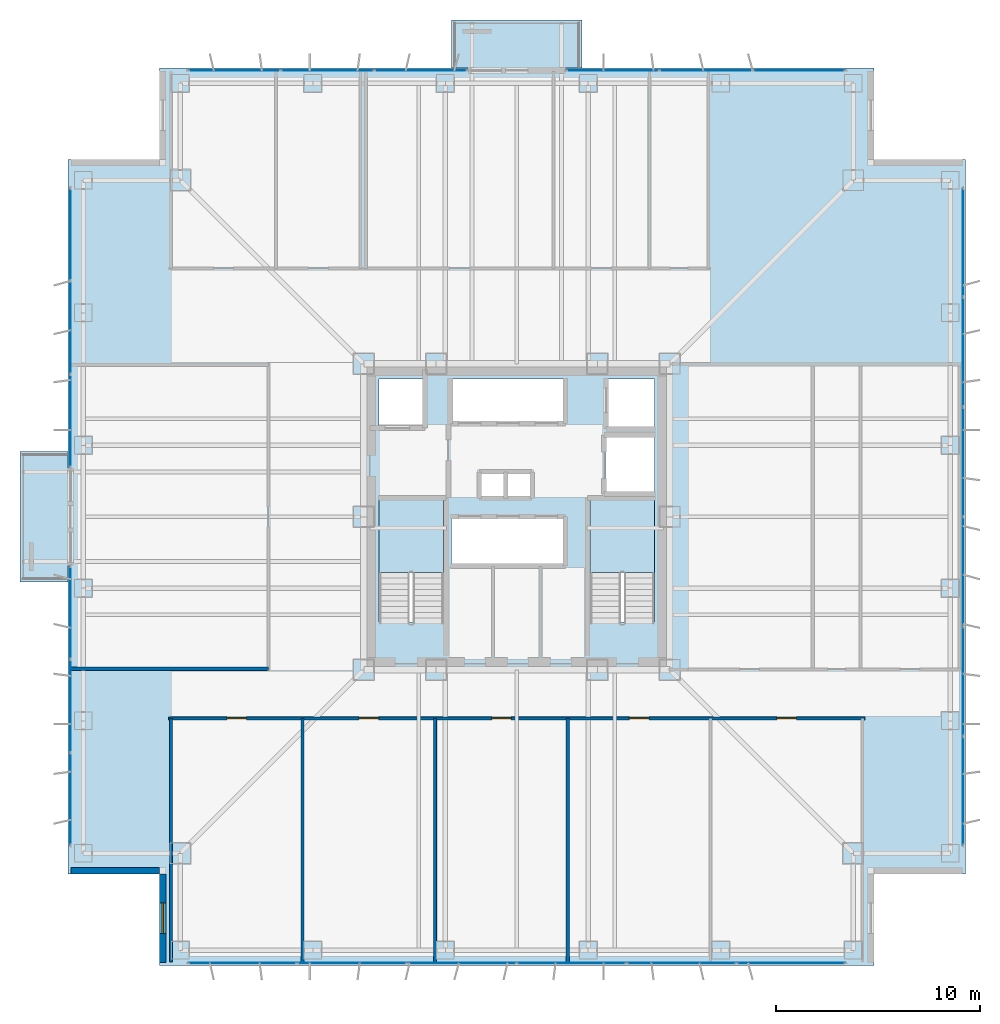
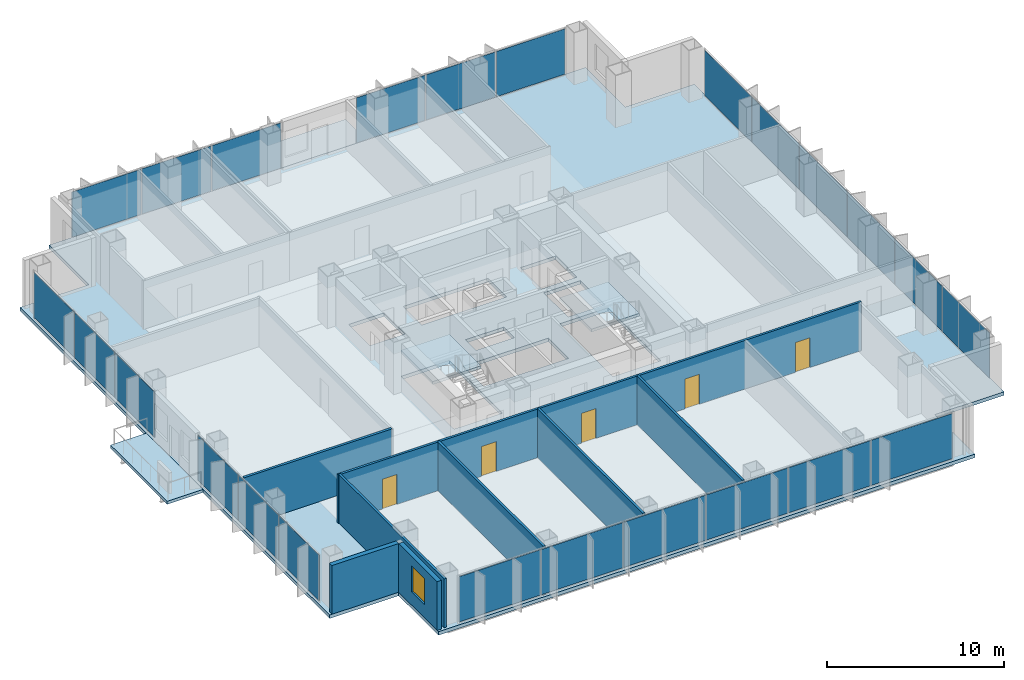
# One storey, part 9 of 15: 24 plates, 8 walls, 5 doors, 5 slabs, 1 window, 6 openings, 8 elements without a shape of their own.
"""IFC4 building model written with IfcOpenShell, lengths in metres."""

from ifc_helpers import new_model, si_unit, direction, frame, frame_2d, origin, origin_2d, place, context, subcontext, project, spatial, polyline, rectangle, outline, extrude, material, layer, layer_set, type_object, element, fill, aggregate, save


model = new_model("IFC4")

# Units and contexts
model_context = context("Model", 3, precision=1e-05, world=origin(), true_north=direction((0.0, 1.0)))
body_context = subcontext(model_context, "Body", "Model", "MODEL_VIEW")
ifc_project = project(units=[si_unit("LENGTHUNIT", "METRE"), si_unit("AREAUNIT", "SQUARE_METRE"), si_unit("VOLUMEUNIT", "CUBIC_METRE"), si_unit("PLANEANGLEUNIT", "RADIAN"), si_unit("MASSUNIT", "GRAM", prefix="KILO")], contexts=[model_context])

# Site, building, storey
site_placement = place(None, origin())
site = spatial("IfcSite", under=ifc_project, at=site_placement, CompositionType="ELEMENT")
building_placement = place(site_placement, origin())
building = spatial("IfcBuilding", under=site, at=building_placement, Name="Trevonay Congress Spire", CompositionType="ELEMENT")
storey_placement = place(building_placement, frame((0.0, 0.0, 115.60009765625)))
storey = spatial("IfcBuildingStorey", under=building, at=storey_placement, Name="L29", CompositionType="ELEMENT", Elevation=115.60009765625)

# Curtain wall, plates
ifc_material_1 = material(Name="Pale Anodised Aluminium EN AW-6063-T6", Category="aluminium")
ifc_layer_1 = layer(ifc_material_1, 0.175048828125, Name="Pale Anodised Aluminium EN AW-6063-T6")
ifc_layer_set_1 = layer_set([ifc_layer_1], Name="Pale Anodised Aluminium EN AW-6063-T6")
curtain_wall_type = type_object("IfcCurtainWallType", Name="CW-SYS03-CONGRESS-PALE-METAL", PredefinedType="NOTDEFINED", material=ifc_layer_set_1)
curtain_wall_1_placement = place(storey_placement, origin())
curtain_wall_1 = element("IfcCurtainWall", 1, at=curtain_wall_1_placement, inside=storey, type_object=curtain_wall_type, Name="L29 S unitised curtain wall", PredefinedType="NOTDEFINED")
ifc_material_2 = material(Name="Insulated Low-E Vision Glass IGU", Category="glass")
ifc_layer_2 = layer(ifc_material_2, 0.035888671875, Name="Insulated Low-E Vision Glass IGU")
ifc_layer_set_2 = layer_set([ifc_layer_2], Name="Insulated Low-E Vision Glass IGU")
plate_type = type_object("IfcPlateType", Name="CW-PANEL-IGU36-SILVER", PredefinedType="CURTAIN_PANEL", material=ifc_layer_set_2)
plate_1_placement = place(storey_placement, frame((-13.443359375, -21.8798828125, 0.119873046875), z_axis=(0.0, 0.0, 1.0), x_axis=(1.0, 0.0, 0.0)))
plate_1 = element("IfcPlate", 2, at=plate_1_placement, type_object=plate_type, Name="CW03 panel 1.1", PredefinedType="CURTAIN_PANEL", context=body_context, shape_type="SweptSolid", body=[
    extrude(rectangle(XDim=5.293212890625, YDim=0.035888671875, at=origin_2d()), origin(), (0.0, 0.0, 1.0), 3.1201171875),
])
plate_2_placement = place(storey_placement, frame((-8.074951171875, -21.8798828125, 0.119873046875), z_axis=(0.0, 0.0, 1.0), x_axis=(1.0, 0.0, 0.0)))
plate_2 = element("IfcPlate", 3, at=plate_2_placement, type_object=plate_type, Name="CW03 panel 2.1", PredefinedType="CURTAIN_PANEL", context=body_context, shape_type="SweptSolid", body=[
    extrude(rectangle(XDim=5.3232421875, YDim=0.035888671875, at=origin_2d()), origin(), (0.0, 0.0, 1.0), 3.1201171875),
])
plate_3_placement = place(storey_placement, frame((-2.691650390625, -21.8798828125, 0.119873046875), z_axis=(0.0, 0.0, 1.0), x_axis=(1.0, 0.0, 0.0)))
plate_3 = element("IfcPlate", 4, at=plate_3_placement, type_object=plate_type, Name="CW03 panel 3.1", PredefinedType="CURTAIN_PANEL", context=body_context, shape_type="SweptSolid", body=[
    extrude(rectangle(XDim=5.3232421875, YDim=0.035888671875, at=origin_2d()), origin(), (0.0, 0.0, 1.0), 3.1201171875),
])
plate_4_placement = place(storey_placement, frame((2.691650390625, -21.8798828125, 0.119873046875), z_axis=(0.0, 0.0, 1.0), x_axis=(1.0, 0.0, 0.0)))
plate_4 = element("IfcPlate", 5, at=plate_4_placement, type_object=plate_type, Name="CW03 panel 4.1", PredefinedType="CURTAIN_PANEL", context=body_context, shape_type="SweptSolid", body=[
    extrude(rectangle(XDim=5.3232421875, YDim=0.035888671875, at=origin_2d()), origin(), (0.0, 0.0, 1.0), 3.1201171875),
])
plate_5_placement = place(storey_placement, frame((8.074951171875, -21.8798828125, 0.119873046875), z_axis=(0.0, 0.0, 1.0), x_axis=(1.0, 0.0, 0.0)))
plate_5 = element("IfcPlate", 6, at=plate_5_placement, type_object=plate_type, Name="CW03 panel 5.1", PredefinedType="CURTAIN_PANEL", context=body_context, shape_type="SweptSolid", body=[
    extrude(rectangle(XDim=5.3232421875, YDim=0.035888671875, at=origin_2d()), origin(), (0.0, 0.0, 1.0), 3.1201171875),
])
plate_6_placement = place(storey_placement, frame((13.443359375, -21.8798828125, 0.119873046875), z_axis=(0.0, 0.0, 1.0), x_axis=(1.0, 0.0, 0.0)))
plate_6 = element("IfcPlate", 7, at=plate_6_placement, type_object=plate_type, Name="CW03 panel 6.1", PredefinedType="CURTAIN_PANEL", context=body_context, shape_type="SweptSolid", body=[
    extrude(rectangle(XDim=5.293212890625, YDim=0.035888671875, at=origin_2d()), origin(), (0.0, 0.0, 1.0), 3.1201171875),
])
aggregate(curtain_wall_1, [plate_1, plate_2, plate_3, plate_4, plate_5, plate_6])

curtain_wall_2_placement = place(storey_placement, origin())
curtain_wall_2 = element("IfcCurtainWall", 8, at=curtain_wall_2_placement, inside=storey, type_object=curtain_wall_type, Name="L29 NA unitised curtain wall", PredefinedType="NOTDEFINED")
plate_7_placement = place(storey_placement, frame((-13.84326171875, 21.8798828125, 0.119873046875), z_axis=(0.0, 0.0, 1.0), x_axis=(1.0, 0.0, 0.0)))
plate_7 = element("IfcPlate", 9, at=plate_7_placement, type_object=plate_type, Name="CW03 panel 1.1", PredefinedType="CURTAIN_PANEL", context=body_context, shape_type="SweptSolid", body=[
    extrude(rectangle(XDim=4.493408203125, YDim=0.035888671875, at=origin_2d()), origin(), (0.0, 0.0, 1.0), 3.1201171875),
])
plate_8_placement = place(storey_placement, frame((-9.27490234375, 21.8798828125, 0.119873046875), z_axis=(0.0, 0.0, 1.0), x_axis=(1.0, 0.0, 0.0)))
plate_8 = element("IfcPlate", 10, at=plate_8_placement, type_object=plate_type, Name="CW03 panel 2.1", PredefinedType="CURTAIN_PANEL", context=body_context, shape_type="SweptSolid", body=[
    extrude(rectangle(XDim=4.5234375, YDim=0.035888671875, at=origin_2d()), origin(), (0.0, 0.0, 1.0), 3.1201171875),
])
plate_9_placement = place(storey_placement, frame((-4.706787109375, 21.8798828125, 0.119873046875), z_axis=(0.0, 0.0, 1.0), x_axis=(1.0, 0.0, 0.0)))
plate_9 = element("IfcPlate", 11, at=plate_9_placement, type_object=plate_type, Name="CW03 panel 3.1", PredefinedType="CURTAIN_PANEL", context=body_context, shape_type="SweptSolid", body=[
    extrude(rectangle(XDim=4.493408203125, YDim=0.035888671875, at=origin_2d()), origin(), (0.0, 0.0, 1.0), 3.1201171875),
])
aggregate(curtain_wall_2, [plate_7, plate_8, plate_9])

curtain_wall_3_placement = place(storey_placement, origin())
curtain_wall_3 = element("IfcCurtainWall", 12, at=curtain_wall_3_placement, inside=storey, type_object=curtain_wall_type, Name="L29 NB unitised curtain wall", PredefinedType="NOTDEFINED")
plate_10_placement = place(storey_placement, frame((4.706787109375, 21.8798828125, 0.119873046875), z_axis=(0.0, 0.0, 1.0), x_axis=(1.0, 0.0, 0.0)))
plate_10 = element("IfcPlate", 13, at=plate_10_placement, type_object=plate_type, Name="CW03 panel 1.1", PredefinedType="CURTAIN_PANEL", context=body_context, shape_type="SweptSolid", body=[
    extrude(rectangle(XDim=4.493408203125, YDim=0.035888671875, at=origin_2d()), origin(), (0.0, 0.0, 1.0), 3.1201171875),
])
plate_11_placement = place(storey_placement, frame((9.27490234375, 21.8798828125, 0.119873046875), z_axis=(0.0, 0.0, 1.0), x_axis=(1.0, 0.0, 0.0)))
plate_11 = element("IfcPlate", 14, at=plate_11_placement, type_object=plate_type, Name="CW03 panel 2.1", PredefinedType="CURTAIN_PANEL", context=body_context, shape_type="SweptSolid", body=[
    extrude(rectangle(XDim=4.5234375, YDim=0.035888671875, at=origin_2d()), origin(), (0.0, 0.0, 1.0), 3.1201171875),
])
plate_12_placement = place(storey_placement, frame((13.84326171875, 21.8798828125, 0.119873046875), z_axis=(0.0, 0.0, 1.0), x_axis=(1.0, 0.0, 0.0)))
plate_12 = element("IfcPlate", 15, at=plate_12_placement, type_object=plate_type, Name="CW03 panel 3.1", PredefinedType="CURTAIN_PANEL", context=body_context, shape_type="SweptSolid", body=[
    extrude(rectangle(XDim=4.493408203125, YDim=0.035888671875, at=origin_2d()), origin(), (0.0, 0.0, 1.0), 3.1201171875),
])
aggregate(curtain_wall_3, [plate_10, plate_11, plate_12])

curtain_wall_4_placement = place(storey_placement, origin())
curtain_wall_4 = element("IfcCurtainWall", 16, at=curtain_wall_4_placement, inside=storey, type_object=curtain_wall_type, Name="L29 WA unitised curtain wall", PredefinedType="NOTDEFINED")
plate_13_placement = place(storey_placement, frame((-21.8798828125, -13.84326171875, 0.119873046875), z_axis=(0.0, 0.0, 1.0), x_axis=(0.0, 1.0, 0.0)))
plate_13 = element("IfcPlate", 17, at=plate_13_placement, type_object=plate_type, Name="CW03 panel 1.1", PredefinedType="CURTAIN_PANEL", context=body_context, shape_type="SweptSolid", body=[
    extrude(rectangle(XDim=4.493408203125, YDim=0.035888671875, at=origin_2d()), origin(), (0.0, 0.0, 1.0), 3.1201171875),
])
plate_14_placement = place(storey_placement, frame((-21.8798828125, -9.27490234375, 0.119873046875), z_axis=(0.0, 0.0, 1.0), x_axis=(0.0, 1.0, 0.0)))
plate_14 = element("IfcPlate", 18, at=plate_14_placement, type_object=plate_type, Name="CW03 panel 2.1", PredefinedType="CURTAIN_PANEL", context=body_context, shape_type="SweptSolid", body=[
    extrude(rectangle(XDim=4.5234375, YDim=0.035888671875, at=origin_2d()), origin(), (0.0, 0.0, 1.0), 3.1201171875),
])
plate_15_placement = place(storey_placement, frame((-21.8798828125, -4.706787109375, 0.119873046875), z_axis=(0.0, 0.0, 1.0), x_axis=(0.0, 1.0, 0.0)))
plate_15 = element("IfcPlate", 19, at=plate_15_placement, type_object=plate_type, Name="CW03 panel 3.1", PredefinedType="CURTAIN_PANEL", context=body_context, shape_type="SweptSolid", body=[
    extrude(rectangle(XDim=4.493408203125, YDim=0.035888671875, at=origin_2d()), origin(), (0.0, 0.0, 1.0), 3.1201171875),
])
aggregate(curtain_wall_4, [plate_13, plate_14, plate_15])

curtain_wall_5_placement = place(storey_placement, origin())
curtain_wall_5 = element("IfcCurtainWall", 20, at=curtain_wall_5_placement, inside=storey, type_object=curtain_wall_type, Name="L29 WB unitised curtain wall", PredefinedType="NOTDEFINED")
plate_16_placement = place(storey_placement, frame((-21.8798828125, 4.706787109375, 0.119873046875), z_axis=(0.0, 0.0, 1.0), x_axis=(0.0, 1.0, 0.0)))
plate_16 = element("IfcPlate", 21, at=plate_16_placement, type_object=plate_type, Name="CW03 panel 1.1", PredefinedType="CURTAIN_PANEL", context=body_context, shape_type="SweptSolid", body=[
    extrude(rectangle(XDim=4.493408203125, YDim=0.035888671875, at=origin_2d()), origin(), (0.0, 0.0, 1.0), 3.1201171875),
])
plate_17_placement = place(storey_placement, frame((-21.8798828125, 9.27490234375, 0.119873046875), z_axis=(0.0, 0.0, 1.0), x_axis=(0.0, 1.0, 0.0)))
plate_17 = element("IfcPlate", 22, at=plate_17_placement, type_object=plate_type, Name="CW03 panel 2.1", PredefinedType="CURTAIN_PANEL", context=body_context, shape_type="SweptSolid", body=[
    extrude(rectangle(XDim=4.5234375, YDim=0.035888671875, at=origin_2d()), origin(), (0.0, 0.0, 1.0), 3.1201171875),
])
plate_18_placement = place(storey_placement, frame((-21.8798828125, 13.84326171875, 0.119873046875), z_axis=(0.0, 0.0, 1.0), x_axis=(0.0, 1.0, 0.0)))
plate_18 = element("IfcPlate", 23, at=plate_18_placement, type_object=plate_type, Name="CW03 panel 3.1", PredefinedType="CURTAIN_PANEL", context=body_context, shape_type="SweptSolid", body=[
    extrude(rectangle(XDim=4.493408203125, YDim=0.035888671875, at=origin_2d()), origin(), (0.0, 0.0, 1.0), 3.1201171875),
])
aggregate(curtain_wall_5, [plate_16, plate_17, plate_18])

curtain_wall_6_placement = place(storey_placement, origin())
curtain_wall_6 = element("IfcCurtainWall", 24, at=curtain_wall_6_placement, inside=storey, type_object=curtain_wall_type, Name="L29 E unitised curtain wall", PredefinedType="NOTDEFINED")
plate_19_placement = place(storey_placement, frame((21.8798828125, -13.443359375, 0.119873046875), z_axis=(0.0, 0.0, 1.0), x_axis=(0.0, 1.0, 0.0)))
plate_19 = element("IfcPlate", 25, at=plate_19_placement, type_object=plate_type, Name="CW03 panel 1.1", PredefinedType="CURTAIN_PANEL", context=body_context, shape_type="SweptSolid", body=[
    extrude(rectangle(XDim=5.293212890625, YDim=0.035888671875, at=origin_2d()), origin(), (0.0, 0.0, 1.0), 3.1201171875),
])
plate_20_placement = place(storey_placement, frame((21.8798828125, -8.074951171875, 0.119873046875), z_axis=(0.0, 0.0, 1.0), x_axis=(0.0, 1.0, 0.0)))
plate_20 = element("IfcPlate", 26, at=plate_20_placement, type_object=plate_type, Name="CW03 panel 2.1", PredefinedType="CURTAIN_PANEL", context=body_context, shape_type="SweptSolid", body=[
    extrude(rectangle(XDim=5.3232421875, YDim=0.035888671875, at=origin_2d()), origin(), (0.0, 0.0, 1.0), 3.1201171875),
])
plate_21_placement = place(storey_placement, frame((21.8798828125, -2.691650390625, 0.119873046875), z_axis=(0.0, 0.0, 1.0), x_axis=(0.0, 1.0, 0.0)))
plate_21 = element("IfcPlate", 27, at=plate_21_placement, type_object=plate_type, Name="CW03 panel 3.1", PredefinedType="CURTAIN_PANEL", context=body_context, shape_type="SweptSolid", body=[
    extrude(rectangle(XDim=5.3232421875, YDim=0.035888671875, at=origin_2d()), origin(), (0.0, 0.0, 1.0), 3.1201171875),
])
plate_22_placement = place(storey_placement, frame((21.8798828125, 2.691650390625, 0.119873046875), z_axis=(0.0, 0.0, 1.0), x_axis=(0.0, 1.0, 0.0)))
plate_22 = element("IfcPlate", 28, at=plate_22_placement, type_object=plate_type, Name="CW03 panel 4.1", PredefinedType="CURTAIN_PANEL", context=body_context, shape_type="SweptSolid", body=[
    extrude(rectangle(XDim=5.3232421875, YDim=0.035888671875, at=origin_2d()), origin(), (0.0, 0.0, 1.0), 3.1201171875),
])
plate_23_placement = place(storey_placement, frame((21.8798828125, 8.074951171875, 0.119873046875), z_axis=(0.0, 0.0, 1.0), x_axis=(0.0, 1.0, 0.0)))
plate_23 = element("IfcPlate", 29, at=plate_23_placement, type_object=plate_type, Name="CW03 panel 5.1", PredefinedType="CURTAIN_PANEL", context=body_context, shape_type="SweptSolid", body=[
    extrude(rectangle(XDim=5.3232421875, YDim=0.035888671875, at=origin_2d()), origin(), (0.0, 0.0, 1.0), 3.1201171875),
])
plate_24_placement = place(storey_placement, frame((21.8798828125, 13.443359375, 0.119873046875), z_axis=(0.0, 0.0, 1.0), x_axis=(0.0, 1.0, 0.0)))
plate_24 = element("IfcPlate", 30, at=plate_24_placement, type_object=plate_type, Name="CW03 panel 6.1", PredefinedType="CURTAIN_PANEL", context=body_context, shape_type="SweptSolid", body=[
    extrude(rectangle(XDim=5.293212890625, YDim=0.035888671875, at=origin_2d()), origin(), (0.0, 0.0, 1.0), 3.1201171875),
])
aggregate(curtain_wall_6, [plate_19, plate_20, plate_21, plate_22, plate_23, plate_24])

# Stair, slab
ifc_material_3 = material(Name="Concrete C40/50", Category="concrete")
stair_type_1 = type_object("IfcStairType", Name="STR-ST-1", PredefinedType="HALF_TURN_STAIR", material=ifc_material_3)
stair_1_placement = place(storey_placement, origin())
stair_1 = element("IfcStair", 31, at=stair_1_placement, inside=storey, type_object=stair_type_1, Name="L29 Protected Exit Stair ST-1", PredefinedType="HALF_TURN_STAIR")
ifc_layer_3 = layer(ifc_material_3, 0.199951171875, Name="Concrete C40/50")
ifc_layer_set_3 = layer_set([ifc_layer_3], Name="Concrete C40/50")
slab_type_1 = type_object("IfcSlabType", Name="SLB-STAIR-LAND-200", PredefinedType="LANDING", material=ifc_layer_set_3)
slab_1_placement = place(storey_placement, frame((0.0, 0.0, 1.599853515625)))
slab_1 = element("IfcSlab", 32, at=slab_1_placement, type_object=slab_type_1, Name="ST-1 landing 1", PredefinedType="LANDING", context=body_context, shape_type="SweptSolid", body=[
    extrude(outline(polyline([(-3.60009765625, -2.72998046875), (-3.60009765625, 0.85009765625), (-6.75, 0.85009765625), (-6.75, -2.72998046875), (-3.60009765625, -2.72998046875)])), origin(), (0.0, 0.0, 1.0), 0.199951171875),
])
aggregate(stair_1, [slab_1])

stair_type_2 = type_object("IfcStairType", Name="STR-ST-2", PredefinedType="HALF_TURN_STAIR", material=ifc_material_3)
stair_2_placement = place(storey_placement, origin())
stair_2 = element("IfcStair", 33, at=stair_2_placement, inside=storey, type_object=stair_type_2, Name="L29 Protected Exit Stair ST-2", PredefinedType="HALF_TURN_STAIR")
slab_2_placement = place(storey_placement, frame((0.0, 0.0, 1.599853515625)))
slab_2 = element("IfcSlab", 34, at=slab_2_placement, type_object=slab_type_1, Name="ST-2 landing 1", PredefinedType="LANDING", context=body_context, shape_type="SweptSolid", body=[
    extrude(outline(polyline([(6.75, -2.72998046875), (6.75, 0.85009765625), (3.60009765625, 0.85009765625), (3.60009765625, -2.72998046875), (6.75, -2.72998046875)])), origin(), (0.0, 0.0, 1.0), 0.199951171875),
])
aggregate(stair_2, [slab_2])

# Slabs
ifc_layer_4 = layer(ifc_material_3, 0.239990234375, Name="Concrete C40/50")
ifc_layer_set_4 = layer_set([ifc_layer_4], Name="Concrete C40/50")
slab_type_2 = type_object("IfcSlabType", Name="SLB-TOW2-240", PredefinedType="FLOOR", material=ifc_layer_set_4)
slab_3_placement = place(storey_placement, frame((0.0, 0.0, -0.239990234375)))
element("IfcSlab", 35, at=slab_3_placement, inside=storey, type_object=slab_type_2, Name="L29 structural floor slab", PredefinedType="FLOOR", context=body_context, shape_type="SweptSolid", body=[
    extrude(outline(polyline([(-17.5, -22.0), (17.5, -22.0), (17.5, -17.5), (22.0, -17.5), (22.0, 17.5), (17.5, 17.5), (17.5, 22.0), (-17.5, 22.0), (-17.5, 17.5), (-22.0, 17.5), (-22.0, -17.5), (-17.5, -17.5), (-17.5, -22.0)]), holes=[polyline([(-3.60009765625, -5.14990234375), (-3.60009765625, 0.85009765625), (-6.75, 0.85009765625), (-6.75, -5.14990234375), (-3.60009765625, -5.14990234375)]), polyline([(6.75, -5.14990234375), (6.75, 0.85009765625), (3.60009765625, 0.85009765625), (3.60009765625, -5.14990234375), (6.75, -5.14990234375)]), polyline([(-3.199951171875, -2.35009765625), (2.340087890625, -2.35009765625), (2.340087890625, -0.050048828125), (-3.199951171875, -0.050048828125), (-3.199951171875, -2.35009765625)]), polyline([(-3.199951171875, 4.64990234375), (2.340087890625, 4.64990234375), (2.340087890625, 6.75), (-3.199951171875, 6.75), (-3.199951171875, 4.64990234375)]), polyline([(-6.75, 4.35009765625), (-4.449951171875, 4.35009765625), (-4.449951171875, 6.75), (-6.75, 6.75), (-6.75, 4.35009765625)]), polyline([(4.449951171875, 4.35009765625), (6.75, 4.35009765625), (6.75, 6.75), (4.449951171875, 6.75), (4.449951171875, 4.35009765625)]), polyline([(4.35009765625, 1.199951171875), (6.75, 1.199951171875), (6.75, 3.949951171875), (4.35009765625, 3.949951171875), (4.35009765625, 1.199951171875)]), polyline([(-1.800048828125, 0.949951171875), (0.699951171875, 0.949951171875), (0.699951171875, 2.14990234375), (-1.800048828125, 2.14990234375), (-1.800048828125, 0.949951171875)])]), origin(), (0.0, 0.0, 1.0), 0.239990234375),
])
ifc_layer_5 = layer(ifc_material_3, 0.2099609375, Name="Concrete C40/50")
ifc_layer_set_5 = layer_set([ifc_layer_5], Name="Concrete C40/50")
slab_type_3 = type_object("IfcSlabType", Name="SLB-TREEBAL-210", PredefinedType="FLOOR", material=ifc_layer_set_5)
slab_4_placement = place(storey_placement, frame((0.0, 0.0, -0.210205078125)))
element("IfcSlab", 36, at=slab_4_placement, inside=storey, type_object=slab_type_3, Name="L29 cantilevered tree-planter balcony pod N", PredefinedType="FLOOR", context=body_context, shape_type="SweptSolid", body=[
    extrude(outline(polyline([(-3.199951171875, 22.0), (3.199951171875, 22.0), (3.199951171875, 24.35009765625), (-3.199951171875, 24.35009765625), (-3.199951171875, 22.0)])), origin(), (0.0, 0.0, 1.0), 0.210205078125),
])
slab_5_placement = place(storey_placement, frame((0.0, 0.0, -0.210205078125)))
element("IfcSlab", 37, at=slab_5_placement, inside=storey, type_object=slab_type_3, Name="L29 cantilevered tree-planter balcony pod W", PredefinedType="FLOOR", context=body_context, shape_type="SweptSolid", body=[
    extrude(outline(polyline([(-24.35009765625, -3.199951171875), (-22.0, -3.199951171875), (-22.0, 3.199951171875), (-24.35009765625, 3.199951171875), (-24.35009765625, -3.199951171875)])), origin(), (0.0, 0.0, 1.0), 0.210205078125),
])

# Wall, openings, doors
ifc_layer_6 = layer(ifc_material_3, 0.14990234375, Name="Concrete C40/50")
ifc_layer_set_6 = layer_set([ifc_layer_6], Name="Concrete C40/50")
wall_type_1 = type_object("IfcWallType", Name="WAL-CORR-150", PredefinedType="PARTITIONING", material=ifc_layer_set_6)
wall_1_placement = place(storey_placement, frame((-17.070068359375, -9.8798828125, 0.0), z_axis=(0.0, 0.0, 1.0), x_axis=(1.0, 0.0, 0.0)))
wall_1 = element("IfcWall", 38, at=wall_1_placement, inside=storey, type_object=wall_type_1, Name="L29 interior wall WP-L29S-COR", PredefinedType="PARTITIONING", context=body_context, shape_type="SweptSolid", body=[
    extrude(rectangle(XDim=34.14013671875, YDim=0.14990234375, at=frame_2d((17.070068359375, 0.0))), origin(), (0.0, 0.0, 1.0), 3.35986328125),
])
opening_1_placement = place(wall_1_placement, frame((2.8701171875, 0.0, 0.0)))
opening_1 = element("IfcOpeningElement", 39, at=opening_1_placement, cuts=wall_1, Name="Opening D07", PredefinedType="OPENING", context=body_context, shape_type="SweptSolid", body=[
    extrude(rectangle(XDim=0.949951171875, YDim=2.06005859375, at=frame_2d((0.47509765625, 1.030029296875))), frame((0.0, 0.0849609375, 0.0), z_axis=(0.0, -1.0, 0.0), x_axis=(1.0, 0.0, 0.0)), (0.0, 0.0, 1.0), 0.169921875),
])
opening_2_placement = place(wall_1_placement, frame((9.344970703125, 0.0, 0.0)))
opening_2 = element("IfcOpeningElement", 40, at=opening_2_placement, cuts=wall_1, Name="Opening D07", PredefinedType="OPENING", context=body_context, shape_type="SweptSolid", body=[
    extrude(rectangle(XDim=0.949951171875, YDim=2.06005859375, at=frame_2d((0.47509765625, 1.030029296875))), frame((0.0, 0.0849609375, 0.0), z_axis=(0.0, -1.0, 0.0), x_axis=(1.0, 0.0, 0.0)), (0.0, 0.0, 1.0), 0.169921875),
])
opening_3_placement = place(wall_1_placement, frame((15.844970703125, 0.0, 0.0)))
opening_3 = element("IfcOpeningElement", 41, at=opening_3_placement, cuts=wall_1, Name="Opening D07", PredefinedType="OPENING", context=body_context, shape_type="SweptSolid", body=[
    extrude(rectangle(XDim=0.949951171875, YDim=2.06005859375, at=frame_2d((0.47509765625, 1.030029296875))), frame((0.0, 0.0849609375, 0.0), z_axis=(0.0, -1.0, 0.0), x_axis=(1.0, 0.0, 0.0)), (0.0, 0.0, 1.0), 0.169921875),
])
opening_4_placement = place(wall_1_placement, frame((22.594970703125, 0.0, 0.0)))
opening_4 = element("IfcOpeningElement", 42, at=opening_4_placement, cuts=wall_1, Name="Opening D07", PredefinedType="OPENING", context=body_context, shape_type="SweptSolid", body=[
    extrude(rectangle(XDim=0.949951171875, YDim=2.06005859375, at=frame_2d((0.47509765625, 1.030029296875))), frame((0.0, 0.0849609375, 0.0), z_axis=(0.0, -1.0, 0.0), x_axis=(1.0, 0.0, 0.0)), (0.0, 0.0, 1.0), 0.169921875),
])
opening_5_placement = place(wall_1_placement, frame((29.820068359375, 0.0, 0.0)))
opening_5 = element("IfcOpeningElement", 43, at=opening_5_placement, cuts=wall_1, Name="Opening D07", PredefinedType="OPENING", context=body_context, shape_type="SweptSolid", body=[
    extrude(rectangle(XDim=0.949951171875, YDim=2.06005859375, at=frame_2d((0.47509765625, 1.030029296875))), frame((0.0, 0.0849609375, 0.0), z_axis=(0.0, -1.0, 0.0), x_axis=(1.0, 0.0, 0.0)), (0.0, 0.0, 1.0), 0.169921875),
])
door_type = type_object("IfcDoorType", Name="DOR-OFFICE-95", OperationType="NOTDEFINED", PredefinedType="DOOR", material=ifc_material_1)
door_1_placement = place(opening_1_placement, origin())
door_1 = element("IfcDoor", 44, at=door_1_placement, inside=storey, type_object=door_type, Name="L29 Economic Secretariat Office 1 Door", OperationType="SINGLE_SWING_RIGHT", OverallHeight=2.06005859375, OverallWidth=0.949951171875, PredefinedType="DOOR", context=body_context, shape_type="SweptSolid", body=[
    extrude(rectangle(XDim=0.949951171875, YDim=2.06005859375, at=frame_2d((0.47509765625, 1.030029296875))), frame((0.0, 0.02490234375, 0.0), z_axis=(0.0, -1.0, 0.0), x_axis=(1.0, 0.0, 0.0)), (0.0, 0.0, 1.0), 0.050048828125),
])
fill(opening_1, door_1)
door_2_placement = place(opening_2_placement, origin())
door_2 = element("IfcDoor", 45, at=door_2_placement, inside=storey, type_object=door_type, Name="L29 Economic Secretariat Office 2 Door", OperationType="SINGLE_SWING_LEFT", OverallHeight=2.06005859375, OverallWidth=0.949951171875, PredefinedType="DOOR", context=body_context, shape_type="SweptSolid", body=[
    extrude(rectangle(XDim=0.949951171875, YDim=2.06005859375, at=frame_2d((0.47509765625, 1.030029296875))), frame((0.0, 0.02490234375, 0.0), z_axis=(0.0, -1.0, 0.0), x_axis=(1.0, 0.0, 0.0)), (0.0, 0.0, 1.0), 0.050048828125),
])
fill(opening_2, door_2)
door_3_placement = place(opening_3_placement, origin())
door_3 = element("IfcDoor", 46, at=door_3_placement, inside=storey, type_object=door_type, Name="L29 Legal Counsel Office 3 Door", OperationType="SINGLE_SWING_RIGHT", OverallHeight=2.06005859375, OverallWidth=0.949951171875, PredefinedType="DOOR", context=body_context, shape_type="SweptSolid", body=[
    extrude(rectangle(XDim=0.949951171875, YDim=2.06005859375, at=frame_2d((0.47509765625, 1.030029296875))), frame((0.0, 0.02490234375, 0.0), z_axis=(0.0, -1.0, 0.0), x_axis=(1.0, 0.0, 0.0)), (0.0, 0.0, 1.0), 0.050048828125),
])
fill(opening_3, door_3)
door_4_placement = place(opening_4_placement, origin())
door_4 = element("IfcDoor", 47, at=door_4_placement, inside=storey, type_object=door_type, Name="L29 Statistical Analysis Office 4 Door", OperationType="SINGLE_SWING_LEFT", OverallHeight=2.06005859375, OverallWidth=0.949951171875, PredefinedType="DOOR", context=body_context, shape_type="SweptSolid", body=[
    extrude(rectangle(XDim=0.949951171875, YDim=2.06005859375, at=frame_2d((0.47509765625, 1.030029296875))), frame((0.0, 0.02490234375, 0.0), z_axis=(0.0, -1.0, 0.0), x_axis=(1.0, 0.0, 0.0)), (0.0, 0.0, 1.0), 0.050048828125),
])
fill(opening_4, door_4)
door_5_placement = place(opening_5_placement, origin())
door_5 = element("IfcDoor", 48, at=door_5_placement, inside=storey, type_object=door_type, Name="L29 Directorate Corner Office Door", OperationType="SINGLE_SWING_RIGHT", OverallHeight=2.06005859375, OverallWidth=0.949951171875, PredefinedType="DOOR", context=body_context, shape_type="SweptSolid", body=[
    extrude(rectangle(XDim=0.949951171875, YDim=2.06005859375, at=frame_2d((0.47509765625, 1.030029296875))), frame((0.0, 0.02490234375, 0.0), z_axis=(0.0, -1.0, 0.0), x_axis=(1.0, 0.0, 0.0)), (0.0, 0.0, 1.0), 0.050048828125),
])
fill(opening_5, door_5)

# Wall, opening, window
ifc_material_4 = material(Name="Precast concrete C40/50", Category="concrete")
ifc_layer_7 = layer(ifc_material_4, 0.300048828125, Name="Precast concrete C40/50")
ifc_layer_set_7 = layer_set([ifc_layer_7], Name="Precast concrete C40/50")
wall_type_2 = type_object("IfcWallType", Name="WAL-EXT-PRECAST-300", PredefinedType="SOLIDWALL", material=ifc_layer_set_7)
wall_2_placement = place(storey_placement, frame((-17.35009765625, -21.85009765625, 0.0), z_axis=(0.0, 0.0, 1.0), x_axis=(0.0, 1.0, 0.0)))
wall_2 = element("IfcWall", 49, at=wall_2_placement, inside=storey, type_object=wall_type_2, Name="L29 SW re-entrant notch exterior wall 1", PredefinedType="SOLIDWALL", context=body_context, shape_type="SweptSolid", body=[
    extrude(rectangle(XDim=4.35009765625, YDim=0.300048828125, at=frame_2d((2.175048828125, 0.0))), origin(), (0.0, 0.0, 1.0), 3.35986328125),
])
opening_6_placement = place(wall_2_placement, frame((1.425048828125, 0.0, 0.89990234375)))
opening_6 = element("IfcOpeningElement", 50, at=opening_6_placement, cuts=wall_2, Name="Opening WN03", PredefinedType="OPENING", context=body_context, shape_type="SweptSolid", body=[
    extrude(rectangle(XDim=1.5, YDim=1.800048828125, at=frame_2d((0.75, 0.89990234375))), frame((0.0, 0.16015625, 0.0), z_axis=(0.0, -1.0, 0.0), x_axis=(1.0, 0.0, 0.0)), (0.0, 0.0, 1.0), 0.320068359375),
])
window_type = type_object("IfcWindowType", Name="WIN-NOTCH-150X180", PartitioningType="SINGLE_PANEL", PredefinedType="WINDOW", material=ifc_material_2)
window_placement = place(opening_6_placement, origin())
window = element("IfcWindow", 51, at=window_placement, inside=storey, type_object=window_type, Name="L29 SW corner notch window", OverallHeight=1.800048828125, OverallWidth=1.5, PartitioningType="SINGLE_PANEL", PredefinedType="WINDOW", context=body_context, shape_type="SweptSolid", body=[
    extrude(rectangle(XDim=1.5, YDim=1.800048828125, at=frame_2d((0.75, 0.89990234375))), frame((0.0, 0.030029296875, 0.0), z_axis=(0.0, -1.0, 0.0), x_axis=(1.0, 0.0, 0.0)), (0.0, 0.0, 1.0), 0.06005859375),
])
fill(opening_6, window)

# Walls
wall_3_placement = place(storey_placement, frame((-21.85009765625, -17.35009765625, 0.0), z_axis=(0.0, 0.0, 1.0), x_axis=(1.0, 0.0, 0.0)))
element("IfcWall", 52, at=wall_3_placement, inside=storey, type_object=wall_type_2, Name="L29 SW re-entrant notch exterior wall 2", PredefinedType="SOLIDWALL", context=body_context, shape_type="SweptSolid", body=[
    extrude(rectangle(XDim=4.35009765625, YDim=0.300048828125, at=frame_2d((2.175048828125, 0.0))), origin(), (0.0, 0.0, 1.0), 3.35986328125),
])
ifc_layer_8 = layer(ifc_material_3, 0.14990234375, Name="Concrete C40/50")
ifc_layer_set_8 = layer_set([ifc_layer_8], Name="Concrete C40/50")
wall_type_3 = type_object("IfcWallType", Name="WAL-PART-150", PredefinedType="PARTITIONING", material=ifc_layer_set_8)
for number, where, z_axis, x_axis, name in (
    (53, (-16.949951171875, -21.820068359375, 0.0), (0.0, 0.0, 1.0), (0.0, 1.0, 0.0), "L29 interior wall WP-L29S-DIV1"),
    (54, (-10.5, -21.820068359375, 0.0), (0.0, 0.0, 1.0), (0.0, 1.0, 0.0), "L29 interior wall WP-L29S-DIV2"),
    (55, (-4.0, -21.820068359375, 0.0), (0.0, 0.0, 1.0), (0.0, 1.0, 0.0), "L29 interior wall WP-L29S-DIV3"),
    (56, (2.5, -21.820068359375, 0.0), (0.0, 0.0, 1.0), (0.0, 1.0, 0.0), "L29 interior wall WP-L29S-DIV4"),
):
    element("IfcWall", number, at=place(storey_placement, frame(where, z_axis=z_axis, x_axis=x_axis)), inside=storey, type_object=wall_type_3, Name=name, PredefinedType="PARTITIONING", context=body_context, shape_type="SweptSolid", body=[
        extrude(rectangle(XDim=11.940185546875, YDim=0.14990234375, at=frame_2d((5.97021484375, 0.0))), origin(), (0.0, 0.0, 1.0), 3.35986328125),
    ])
ifc_layer_9 = layer(ifc_material_3, 0.1650390625, Name="Concrete C40/50")
ifc_layer_set_9 = layer_set([ifc_layer_9], Name="Concrete C40/50")
wall_type_4 = type_object("IfcWallType", Name="WAL-WET-165", PredefinedType="PLUMBINGWALL", material=ifc_layer_set_9)
wall_4_placement = place(storey_placement, frame((-21.820068359375, -7.449951171875, 0.0), z_axis=(0.0, 0.0, 1.0), x_axis=(1.0, 0.0, 0.0)))
element("IfcWall", 57, at=wall_4_placement, inside=storey, type_object=wall_type_4, Name="L29 interior wall WP-L29W-DIV1", PredefinedType="PLUMBINGWALL", context=body_context, shape_type="SweptSolid", body=[
    extrude(rectangle(XDim=9.64013671875, YDim=0.1650390625, at=frame_2d((4.820068359375, 0.0))), origin(), (0.0, 0.0, 1.0), 3.35986328125),
])

save(model, "model.ifc")
